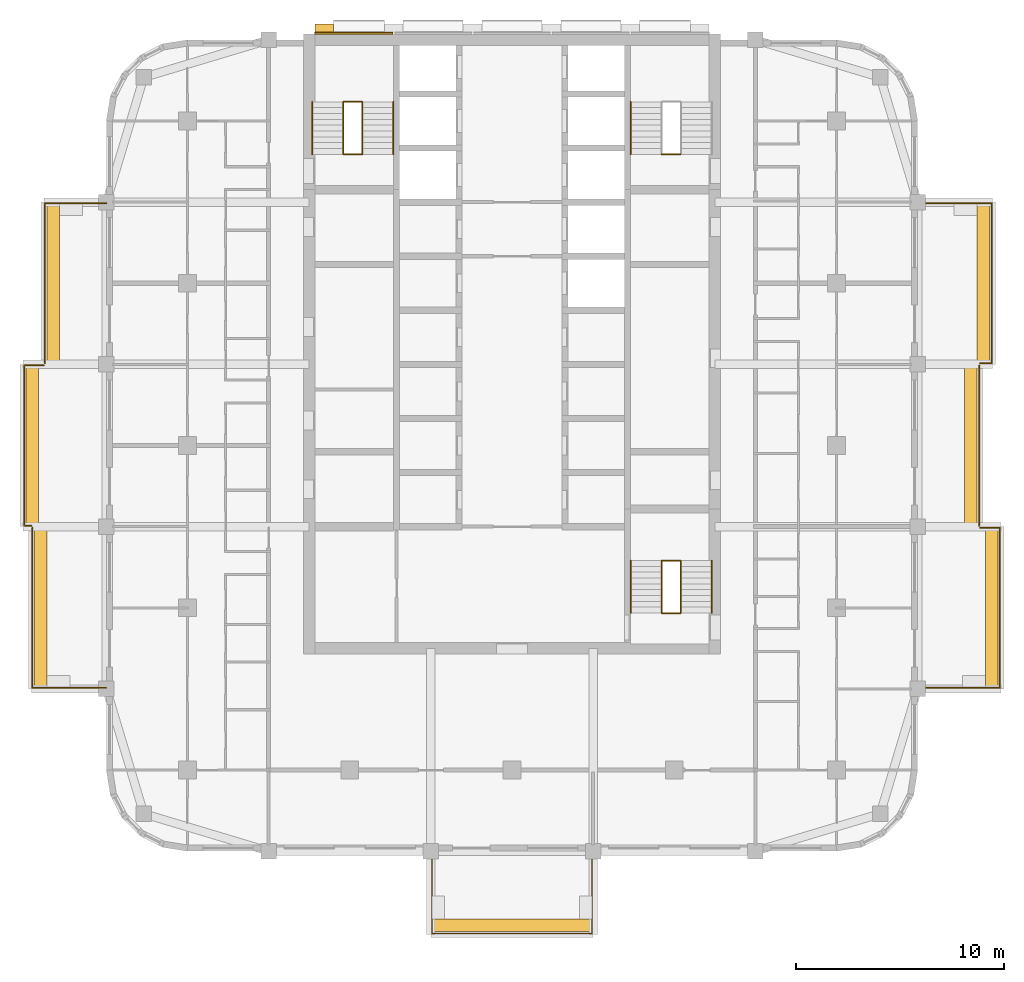
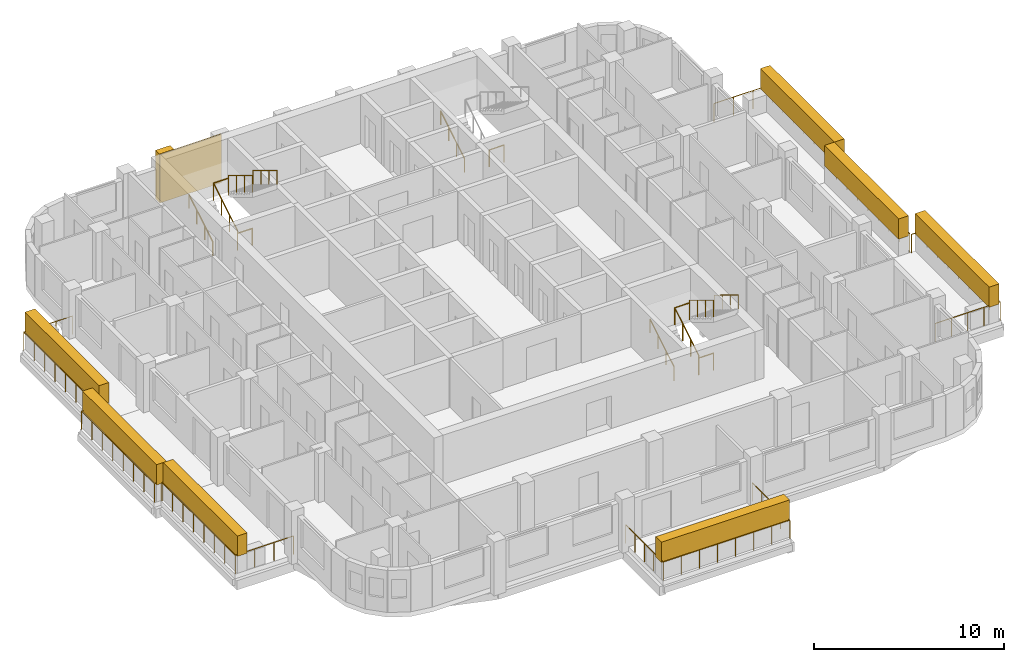
# One storey, part 12 of 13: 21 railings, 9 coverings, 3 elements without a shape of their own.
"""IFC4 building model written with IfcOpenShell, lengths in metres."""

from ifc_helpers import new_model, si_unit, direction, frame, origin, origin_2d, place, context, subcontext, project, spatial, rectangle, circle, extrude, material, layer, layer_set, type_object, element, aggregate, save


model = new_model("IFC4")

# Units and contexts
model_context = context("Model", 3, precision=1e-05, world=origin(), true_north=direction((0.0, 1.0)))
body_context = subcontext(model_context, "Body", "Model", "MODEL_VIEW")
ifc_project = project(units=[si_unit("LENGTHUNIT", "METRE"), si_unit("AREAUNIT", "SQUARE_METRE"), si_unit("VOLUMEUNIT", "CUBIC_METRE"), si_unit("PLANEANGLEUNIT", "RADIAN"), si_unit("MASSUNIT", "GRAM", prefix="KILO")], contexts=[model_context])

# Site, building, storey
site_placement = place(None, origin())
site = spatial("IfcSite", under=ifc_project, at=site_placement, CompositionType="ELEMENT")
building_placement = place(site_placement, origin())
building = spatial("IfcBuilding", under=site, at=building_placement, Name="Ludao Terraces", CompositionType="ELEMENT")
storey_placement = place(building_placement, frame((0.0, 0.0, 179.199951171875)))
storey = spatial("IfcBuildingStorey", under=building, at=storey_placement, Name="L48", CompositionType="ELEMENT", Elevation=179.199951171875)

# Railings
ifc_material_1 = material(Name="Stainless steel 304", Category="steel")
railing_type_1 = type_object("IfcRailingType", Name="ENV Balcony glass guard 1200", PredefinedType="GUARDRAIL", material=ifc_material_1)
railing_1_placement = place(storey_placement, frame((81.14990234375, 45.5, 0.0)))
element("IfcRailing", 1, at=railing_1_placement, inside=storey, type_object=railing_type_1, Name="Balcony guard L48 S1", PredefinedType="GUARDRAIL", context=body_context, shape_type="SweptSolid", body=[
    extrude(circle(Radius=0.02392578125, at=origin_2d()), frame((0.0, 0.0, 1.17578125), z_axis=(0.0, -1.0, 0.0), x_axis=(1.0, 0.0, 0.0)), (0.0, 0.0, 1.0), 3.949951171875),
    extrude(circle(Radius=0.02392578125, at=origin_2d()), frame((0.0, -3.949951171875, 1.17578125), z_axis=(1.0, 0.0, 0.0), x_axis=(0.0, 1.0, 0.0)), (0.0, 0.0, 1.0), 7.7001953125),
    extrude(circle(Radius=0.02392578125, at=origin_2d()), frame((7.7001953125, -3.949951171875, 1.17578125), z_axis=(0.0, 1.0, 0.0), x_axis=(-1.0, 0.0, 0.0)), (0.0, 0.0, 1.0), 3.949951171875),
    extrude(circle(Radius=0.02099609375, at=origin_2d()), origin(), (0.0, 0.0, 1.0), 1.15185546875),
    extrude(circle(Radius=0.02099609375, at=origin_2d()), frame((0.0, -0.987548828125, 0.0)), (0.0, 0.0, 1.0), 1.15185546875),
    extrude(circle(Radius=0.02099609375, at=origin_2d()), frame((0.0, -1.97509765625, 0.0)), (0.0, 0.0, 1.0), 1.15185546875),
    extrude(circle(Radius=0.02099609375, at=origin_2d()), frame((0.0, -2.96240234375, 0.0)), (0.0, 0.0, 1.0), 1.15185546875),
    extrude(circle(Radius=0.02099609375, at=origin_2d()), frame((0.0, -3.949951171875, 0.0)), (0.0, 0.0, 1.0), 1.15185546875),
    extrude(circle(Radius=0.02099609375, at=origin_2d()), frame((1.10009765625, -3.949951171875, 0.0)), (0.0, 0.0, 1.0), 1.15185546875),
    extrude(circle(Radius=0.02099609375, at=origin_2d()), frame((2.199951171875, -3.949951171875, 0.0)), (0.0, 0.0, 1.0), 1.15185546875),
    extrude(circle(Radius=0.02099609375, at=origin_2d()), frame((3.300048828125, -3.949951171875, 0.0)), (0.0, 0.0, 1.0), 1.15185546875),
    extrude(circle(Radius=0.02099609375, at=origin_2d()), frame((4.400146484375, -3.949951171875, 0.0)), (0.0, 0.0, 1.0), 1.15185546875),
    extrude(circle(Radius=0.02099609375, at=origin_2d()), frame((5.500244140625, -3.949951171875, 0.0)), (0.0, 0.0, 1.0), 1.15185546875),
    extrude(circle(Radius=0.02099609375, at=origin_2d()), frame((6.60009765625, -3.949951171875, 0.0)), (0.0, 0.0, 1.0), 1.15185546875),
    extrude(circle(Radius=0.02099609375, at=origin_2d()), frame((7.7001953125, -3.949951171875, 0.0)), (0.0, 0.0, 1.0), 1.15185546875),
    extrude(circle(Radius=0.02099609375, at=origin_2d()), frame((7.7001953125, -2.96240234375, 0.0)), (0.0, 0.0, 1.0), 1.15185546875),
    extrude(circle(Radius=0.02099609375, at=origin_2d()), frame((7.7001953125, -1.97509765625, 0.0)), (0.0, 0.0, 1.0), 1.15185546875),
    extrude(circle(Radius=0.02099609375, at=origin_2d()), frame((7.7001953125, -0.987548828125, 0.0)), (0.0, 0.0, 1.0), 1.15185546875),
    extrude(circle(Radius=0.02099609375, at=origin_2d()), frame((7.7001953125, 0.0, 0.0)), (0.0, 0.0, 1.0), 1.15185546875),
])
railing_2_placement = place(storey_placement, frame((104.5, 53.35009765625, 0.0)))
element("IfcRailing", 2, at=railing_2_placement, inside=storey, type_object=railing_type_1, Name="Balcony guard L48 E1", PredefinedType="GUARDRAIL", context=body_context, shape_type="SweptSolid", body=[
    extrude(circle(Radius=0.02392578125, at=origin_2d()), frame((0.0, 0.0, 1.17578125), z_axis=(1.0, 0.0, 0.0), x_axis=(0.0, 1.0, 0.0)), (0.0, 0.0, 1.0), 3.949951171875),
    extrude(circle(Radius=0.02392578125, at=origin_2d()), frame((3.949951171875, 0.0, 1.17578125), z_axis=(0.0, 1.0, 0.0), x_axis=(-1.0, 0.0, 0.0)), (0.0, 0.0, 1.0), 7.699951171875),
    extrude(circle(Radius=0.02392578125, at=origin_2d()), frame((3.949951171875, 7.699951171875, 1.17578125), z_axis=(-1.0, 0.0, 0.0), x_axis=(0.0, -1.0, 0.0)), (0.0, 0.0, 1.0), 0.949951171875),
    extrude(circle(Radius=0.02099609375, at=origin_2d()), origin(), (0.0, 0.0, 1.0), 1.15185546875),
    extrude(circle(Radius=0.02099609375, at=origin_2d()), frame((0.987548828125, 0.0, 0.0)), (0.0, 0.0, 1.0), 1.15185546875),
    extrude(circle(Radius=0.02099609375, at=origin_2d()), frame((1.97509765625, 0.0, 0.0)), (0.0, 0.0, 1.0), 1.15185546875),
    extrude(circle(Radius=0.02099609375, at=origin_2d()), frame((2.96240234375, 0.0, 0.0)), (0.0, 0.0, 1.0), 1.15185546875),
    extrude(circle(Radius=0.02099609375, at=origin_2d()), frame((3.949951171875, 0.0, 0.0)), (0.0, 0.0, 1.0), 1.15185546875),
    extrude(circle(Radius=0.02099609375, at=origin_2d()), frame((3.949951171875, 1.10009765625, 0.0)), (0.0, 0.0, 1.0), 1.15185546875),
    extrude(circle(Radius=0.02099609375, at=origin_2d()), frame((3.949951171875, 2.199951171875, 0.0)), (0.0, 0.0, 1.0), 1.15185546875),
    extrude(circle(Radius=0.02099609375, at=origin_2d()), frame((3.949951171875, 3.300048828125, 0.0)), (0.0, 0.0, 1.0), 1.15185546875),
    extrude(circle(Radius=0.02099609375, at=origin_2d()), frame((3.949951171875, 4.39990234375, 0.0)), (0.0, 0.0, 1.0), 1.15185546875),
    extrude(circle(Radius=0.02099609375, at=origin_2d()), frame((3.949951171875, 5.5, 0.0)), (0.0, 0.0, 1.0), 1.15185546875),
    extrude(circle(Radius=0.02099609375, at=origin_2d()), frame((3.949951171875, 6.599853515625, 0.0)), (0.0, 0.0, 1.0), 1.15185546875),
    extrude(circle(Radius=0.02099609375, at=origin_2d()), frame((3.949951171875, 7.699951171875, 0.0)), (0.0, 0.0, 1.0), 1.15185546875),
    extrude(circle(Radius=0.02099609375, at=origin_2d()), frame((3.0, 7.699951171875, 0.0)), (0.0, 0.0, 1.0), 1.15185546875),
])
railing_3_placement = place(storey_placement, frame((107.449951171875, 61.14990234375, 0.0)))
element("IfcRailing", 3, at=railing_3_placement, inside=storey, type_object=railing_type_1, Name="Balcony guard L48 E2", PredefinedType="GUARDRAIL", context=body_context, shape_type="SweptSolid", body=[
    extrude(circle(Radius=0.02392578125, at=origin_2d()), frame((0.0, 0.0, 1.17578125), z_axis=(0.0, 1.0, 0.0), x_axis=(-1.0, 0.0, 0.0)), (0.0, 0.0, 1.0), 7.7001953125),
    extrude(circle(Radius=0.02099609375, at=origin_2d()), origin(), (0.0, 0.0, 1.0), 1.15185546875),
    extrude(circle(Radius=0.02099609375, at=origin_2d()), frame((0.0, 1.10009765625, 0.0)), (0.0, 0.0, 1.0), 1.15185546875),
    extrude(circle(Radius=0.02099609375, at=origin_2d()), frame((0.0, 2.199951171875, 0.0)), (0.0, 0.0, 1.0), 1.15185546875),
    extrude(circle(Radius=0.02099609375, at=origin_2d()), frame((0.0, 3.300048828125, 0.0)), (0.0, 0.0, 1.0), 1.15185546875),
    extrude(circle(Radius=0.02099609375, at=origin_2d()), frame((0.0, 4.400146484375, 0.0)), (0.0, 0.0, 1.0), 1.15185546875),
    extrude(circle(Radius=0.02099609375, at=origin_2d()), frame((0.0, 5.500244140625, 0.0)), (0.0, 0.0, 1.0), 1.15185546875),
    extrude(circle(Radius=0.02099609375, at=origin_2d()), frame((0.0, 6.60009765625, 0.0)), (0.0, 0.0, 1.0), 1.15185546875),
    extrude(circle(Radius=0.02099609375, at=origin_2d()), frame((0.0, 7.7001953125, 0.0)), (0.0, 0.0, 1.0), 1.15185546875),
])
railing_4_placement = place(storey_placement, frame((107.5, 68.949951171875, 0.0)))
element("IfcRailing", 4, at=railing_4_placement, inside=storey, type_object=railing_type_1, Name="Balcony guard L48 E3", PredefinedType="GUARDRAIL", context=body_context, shape_type="SweptSolid", body=[
    extrude(circle(Radius=0.02392578125, at=origin_2d()), frame((0.0, 0.0, 1.17578125), z_axis=(1.0, 0.0, 0.0), x_axis=(0.0, 1.0, 0.0)), (0.0, 0.0, 1.0), 0.550048828125),
    extrude(circle(Radius=0.02392578125, at=origin_2d()), frame((0.550048828125, 0.0, 1.17578125), z_axis=(0.0, 1.0, 0.0), x_axis=(-1.0, 0.0, 0.0)), (0.0, 0.0, 1.0), 7.699951171875),
    extrude(circle(Radius=0.02392578125, at=origin_2d()), frame((0.550048828125, 7.699951171875, 1.17578125), z_axis=(-1.0, 0.0, 0.0), x_axis=(0.0, -1.0, 0.0)), (0.0, 0.0, 1.0), 3.550048828125),
    extrude(circle(Radius=0.02099609375, at=origin_2d()), origin(), (0.0, 0.0, 1.0), 1.15185546875),
    extrude(circle(Radius=0.02099609375, at=origin_2d()), frame((0.550048828125, 0.0, 0.0)), (0.0, 0.0, 1.0), 1.15185546875),
    extrude(circle(Radius=0.02099609375, at=origin_2d()), frame((0.550048828125, 1.10009765625, 0.0)), (0.0, 0.0, 1.0), 1.15185546875),
    extrude(circle(Radius=0.02099609375, at=origin_2d()), frame((0.550048828125, 2.199951171875, 0.0)), (0.0, 0.0, 1.0), 1.15185546875),
    extrude(circle(Radius=0.02099609375, at=origin_2d()), frame((0.550048828125, 3.300048828125, 0.0)), (0.0, 0.0, 1.0), 1.15185546875),
    extrude(circle(Radius=0.02099609375, at=origin_2d()), frame((0.550048828125, 4.39990234375, 0.0)), (0.0, 0.0, 1.0), 1.15185546875),
    extrude(circle(Radius=0.02099609375, at=origin_2d()), frame((0.550048828125, 5.5, 0.0)), (0.0, 0.0, 1.0), 1.15185546875),
    extrude(circle(Radius=0.02099609375, at=origin_2d()), frame((0.550048828125, 6.599853515625, 0.0)), (0.0, 0.0, 1.0), 1.15185546875),
    extrude(circle(Radius=0.02099609375, at=origin_2d()), frame((0.550048828125, 7.699951171875, 0.0)), (0.0, 0.0, 1.0), 1.15185546875),
    extrude(circle(Radius=0.02099609375, at=origin_2d()), frame((-0.63330078125, 7.699951171875, 0.0)), (0.0, 0.0, 1.0), 1.15185546875),
    extrude(circle(Radius=0.02099609375, at=origin_2d()), frame((-1.816650390625, 7.699951171875, 0.0)), (0.0, 0.0, 1.0), 1.15185546875),
    extrude(circle(Radius=0.02099609375, at=origin_2d()), frame((-3.0, 7.699951171875, 0.0)), (0.0, 0.0, 1.0), 1.15185546875),
])
railing_5_placement = place(storey_placement, frame((65.5, 53.35009765625, 0.0)))
element("IfcRailing", 5, at=railing_5_placement, inside=storey, type_object=railing_type_1, Name="Balcony guard L48 W1", PredefinedType="GUARDRAIL", context=body_context, shape_type="SweptSolid", body=[
    extrude(circle(Radius=0.02392578125, at=origin_2d()), frame((0.0, 0.0, 1.17578125), z_axis=(-1.0, 0.0, 0.0), x_axis=(0.0, -1.0, 0.0)), (0.0, 0.0, 1.0), 3.550048828125),
    extrude(circle(Radius=0.02392578125, at=origin_2d()), frame((-3.550048828125, 0.0, 1.17578125), z_axis=(0.0, 1.0, 0.0), x_axis=(-1.0, 0.0, 0.0)), (0.0, 0.0, 1.0), 7.699951171875),
    extrude(circle(Radius=0.02099609375, at=origin_2d()), origin(), (0.0, 0.0, 1.0), 1.15185546875),
    extrude(circle(Radius=0.02099609375, at=origin_2d()), frame((-1.183349609375, 0.0, 0.0)), (0.0, 0.0, 1.0), 1.15185546875),
    extrude(circle(Radius=0.02099609375, at=origin_2d()), frame((-2.36669921875, 0.0, 0.0)), (0.0, 0.0, 1.0), 1.15185546875),
    extrude(circle(Radius=0.02099609375, at=origin_2d()), frame((-3.550048828125, 0.0, 0.0)), (0.0, 0.0, 1.0), 1.15185546875),
    extrude(circle(Radius=0.02099609375, at=origin_2d()), frame((-3.550048828125, 1.10009765625, 0.0)), (0.0, 0.0, 1.0), 1.15185546875),
    extrude(circle(Radius=0.02099609375, at=origin_2d()), frame((-3.550048828125, 2.199951171875, 0.0)), (0.0, 0.0, 1.0), 1.15185546875),
    extrude(circle(Radius=0.02099609375, at=origin_2d()), frame((-3.550048828125, 3.300048828125, 0.0)), (0.0, 0.0, 1.0), 1.15185546875),
    extrude(circle(Radius=0.02099609375, at=origin_2d()), frame((-3.550048828125, 4.39990234375, 0.0)), (0.0, 0.0, 1.0), 1.15185546875),
    extrude(circle(Radius=0.02099609375, at=origin_2d()), frame((-3.550048828125, 5.5, 0.0)), (0.0, 0.0, 1.0), 1.15185546875),
    extrude(circle(Radius=0.02099609375, at=origin_2d()), frame((-3.550048828125, 6.599853515625, 0.0)), (0.0, 0.0, 1.0), 1.15185546875),
    extrude(circle(Radius=0.02099609375, at=origin_2d()), frame((-3.550048828125, 7.699951171875, 0.0)), (0.0, 0.0, 1.0), 1.15185546875),
])
railing_6_placement = place(storey_placement, frame((61.89990234375, 61.14990234375, 0.0)))
element("IfcRailing", 6, at=railing_6_placement, inside=storey, type_object=railing_type_1, Name="Balcony guard L48 W2", PredefinedType="GUARDRAIL", context=body_context, shape_type="SweptSolid", body=[
    extrude(circle(Radius=0.02392578125, at=origin_2d()), frame((0.0, 0.0, 1.17578125), z_axis=(-1.0, 0.0, 0.0), x_axis=(0.0, -1.0, 0.0)), (0.0, 0.0, 1.0), 0.349853515625),
    extrude(circle(Radius=0.02392578125, at=origin_2d()), frame((-0.349853515625, 0.0, 1.17578125), z_axis=(0.0, 1.0, 0.0), x_axis=(-1.0, 0.0, 0.0)), (0.0, 0.0, 1.0), 7.7001953125),
    extrude(circle(Radius=0.02392578125, at=origin_2d()), frame((-0.349853515625, 7.7001953125, 1.17578125), z_axis=(1.0, 0.0, 0.0), x_axis=(0.0, 1.0, 0.0)), (0.0, 0.0, 1.0), 0.949951171875),
    extrude(circle(Radius=0.02099609375, at=origin_2d()), origin(), (0.0, 0.0, 1.0), 1.15185546875),
    extrude(circle(Radius=0.02099609375, at=origin_2d()), frame((-0.349853515625, 0.0, 0.0)), (0.0, 0.0, 1.0), 1.15185546875),
    extrude(circle(Radius=0.02099609375, at=origin_2d()), frame((-0.349853515625, 1.10009765625, 0.0)), (0.0, 0.0, 1.0), 1.15185546875),
    extrude(circle(Radius=0.02099609375, at=origin_2d()), frame((-0.349853515625, 2.199951171875, 0.0)), (0.0, 0.0, 1.0), 1.15185546875),
    extrude(circle(Radius=0.02099609375, at=origin_2d()), frame((-0.349853515625, 3.300048828125, 0.0)), (0.0, 0.0, 1.0), 1.15185546875),
    extrude(circle(Radius=0.02099609375, at=origin_2d()), frame((-0.349853515625, 4.400146484375, 0.0)), (0.0, 0.0, 1.0), 1.15185546875),
    extrude(circle(Radius=0.02099609375, at=origin_2d()), frame((-0.349853515625, 5.500244140625, 0.0)), (0.0, 0.0, 1.0), 1.15185546875),
    extrude(circle(Radius=0.02099609375, at=origin_2d()), frame((-0.349853515625, 6.60009765625, 0.0)), (0.0, 0.0, 1.0), 1.15185546875),
    extrude(circle(Radius=0.02099609375, at=origin_2d()), frame((-0.349853515625, 7.7001953125, 0.0)), (0.0, 0.0, 1.0), 1.15185546875),
    extrude(circle(Radius=0.02099609375, at=origin_2d()), frame((0.60009765625, 7.7001953125, 0.0)), (0.0, 0.0, 1.0), 1.15185546875),
])
railing_7_placement = place(storey_placement, frame((62.550048828125, 68.949951171875, 0.0)))
element("IfcRailing", 7, at=railing_7_placement, inside=storey, type_object=railing_type_1, Name="Balcony guard L48 W3", PredefinedType="GUARDRAIL", context=body_context, shape_type="SweptSolid", body=[
    extrude(circle(Radius=0.02392578125, at=origin_2d()), frame((0.0, 0.0, 1.17578125), z_axis=(0.0, 1.0, 0.0), x_axis=(-1.0, 0.0, 0.0)), (0.0, 0.0, 1.0), 7.699951171875),
    extrude(circle(Radius=0.02392578125, at=origin_2d()), frame((0.0, 7.699951171875, 1.17578125), z_axis=(1.0, 0.0, 0.0), x_axis=(0.0, 1.0, 0.0)), (0.0, 0.0, 1.0), 2.949951171875),
    extrude(circle(Radius=0.02099609375, at=origin_2d()), origin(), (0.0, 0.0, 1.0), 1.15185546875),
    extrude(circle(Radius=0.02099609375, at=origin_2d()), frame((0.0, 1.10009765625, 0.0)), (0.0, 0.0, 1.0), 1.15185546875),
    extrude(circle(Radius=0.02099609375, at=origin_2d()), frame((0.0, 2.199951171875, 0.0)), (0.0, 0.0, 1.0), 1.15185546875),
    extrude(circle(Radius=0.02099609375, at=origin_2d()), frame((0.0, 3.300048828125, 0.0)), (0.0, 0.0, 1.0), 1.15185546875),
    extrude(circle(Radius=0.02099609375, at=origin_2d()), frame((0.0, 4.39990234375, 0.0)), (0.0, 0.0, 1.0), 1.15185546875),
    extrude(circle(Radius=0.02099609375, at=origin_2d()), frame((0.0, 5.5, 0.0)), (0.0, 0.0, 1.0), 1.15185546875),
    extrude(circle(Radius=0.02099609375, at=origin_2d()), frame((0.0, 6.599853515625, 0.0)), (0.0, 0.0, 1.0), 1.15185546875),
    extrude(circle(Radius=0.02099609375, at=origin_2d()), frame((0.0, 7.699951171875, 0.0)), (0.0, 0.0, 1.0), 1.15185546875),
    extrude(circle(Radius=0.02099609375, at=origin_2d()), frame((0.9833984375, 7.699951171875, 0.0)), (0.0, 0.0, 1.0), 1.15185546875),
    extrude(circle(Radius=0.02099609375, at=origin_2d()), frame((1.966552734375, 7.699951171875, 0.0)), (0.0, 0.0, 1.0), 1.15185546875),
    extrude(circle(Radius=0.02099609375, at=origin_2d()), frame((2.949951171875, 7.699951171875, 0.0)), (0.0, 0.0, 1.0), 1.15185546875),
])

# Coverings
ifc_material_2 = material(Name="Granite cladding", Category="masonry")
ifc_layer_1 = layer(ifc_material_2, 0.39990234375)
ifc_layer_set_1 = layer_set([ifc_layer_1], Name="ENV Core pilaster stone 400")
covering_type_1 = type_object("IfcCoveringType", Name="ENV Core pilaster stone 400", PredefinedType="CLADDING", material=ifc_layer_set_1)
covering_1_placement = place(storey_placement, frame((75.97509765625, 85.054931640625, 0.0), z_axis=(0.0, 0.0, 1.0), x_axis=(1.0, 0.0, 0.0)))
element("IfcCovering", 8, at=covering_1_placement, inside=storey, type_object=covering_type_1, Name="CC-L48-PIL1", PredefinedType="CLADDING", context=body_context, shape_type="SweptSolid", body=[
    extrude(rectangle(XDim=0.89990234375, YDim=0.39990234375, at=origin_2d()), origin(), (0.0, 0.0, 1.0), 3.10009765625),
])
ifc_layer_2 = layer(ifc_material_2, 0.080078125)
ifc_layer_set_2 = layer_set([ifc_layer_2], Name="ENV Core stone cladding panel 80")
covering_type_2 = type_object("IfcCoveringType", Name="ENV Core stone cladding panel 80", PredefinedType="CLADDING", material=ifc_layer_set_2)
covering_2_placement = place(storey_placement, frame((77.39501953125, 84.81494140625, 0.0), z_axis=(0.0, 0.0, 1.0), x_axis=(1.0, 0.0, 0.0)))
element("IfcCovering", 9, at=covering_2_placement, inside=storey, type_object=covering_type_2, Name="CC-L48-CORE1", PredefinedType="CLADDING", context=body_context, shape_type="SweptSolid", body=[
    extrude(rectangle(XDim=3.739990234375, YDim=0.080078125, at=origin_2d()), origin(), (0.0, 0.0, 1.0), 3.10009765625),
])
ifc_material_3 = material(Name="Planting")
ifc_layer_3 = layer(ifc_material_3, 0.60009765625)
ifc_layer_set_3 = layer_set([ifc_layer_3], Name="ENV Planting hedge 600x1300")
covering_type_3 = type_object("IfcCoveringType", Name="ENV Planting hedge 600x1300", PredefinedType="USERDEFINED", material=ifc_layer_set_3)
covering_3_placement = place(storey_placement, frame((85.0, 41.949951171875, 1.10009765625), z_axis=(0.0, 0.0, 1.0), x_axis=(1.0, 0.0, 0.0)))
element("IfcCovering", 10, at=covering_3_placement, inside=storey, type_object=covering_type_3, Name="Planting hedge L48-S1", ObjectType="PLANTING", PredefinedType="USERDEFINED", context=body_context, shape_type="SweptSolid", body=[
    extrude(rectangle(XDim=7.800048828125, YDim=0.60009765625, at=origin_2d()), origin(), (0.0, 0.0, 1.0), 1.300048828125),
])
for number, where, z_axis, x_axis, name in (
    (11, (108.050048828125, 57.199951171875, 1.10009765625), (0.0, 0.0, 1.0), (1.0, 0.0, 0.0), "Planting hedge L48-E1"),
    (12, (107.050048828125, 65.0, 1.10009765625), (0.0, 0.0, 1.0), (1.0, 0.0, 0.0), "Planting hedge L48-E2"),
    (13, (107.64990234375, 72.800048828125, 1.10009765625), (0.0, 0.0, 1.0), (1.0, 0.0, 0.0), "Planting hedge L48-E3"),
    (14, (62.35009765625, 57.199951171875, 1.10009765625), (0.0, 0.0, 1.0), (1.0, 0.0, 0.0), "Planting hedge L48-W1"),
    (15, (61.949951171875, 65.0, 1.10009765625), (0.0, 0.0, 1.0), (1.0, 0.0, 0.0), "Planting hedge L48-W2"),
    (16, (62.949951171875, 72.800048828125, 1.10009765625), (0.0, 0.0, 1.0), (1.0, 0.0, 0.0), "Planting hedge L48-W3"),
):
    element("IfcCovering", number, at=place(storey_placement, frame(where, z_axis=z_axis, x_axis=x_axis)), inside=storey, type_object=covering_type_3, Name=name, ObjectType="PLANTING", PredefinedType="USERDEFINED", context=body_context, shape_type="SweptSolid", body=[
        extrude(rectangle(XDim=0.60009765625, YDim=7.800048828125, at=origin_2d()), origin(), (0.0, 0.0, 1.0), 1.300048828125),
    ])

# Stair, railings
ifc_material_4 = material(Name="Concrete C40", Category="concrete")
stair_type = type_object("IfcStairType", Name="INT Stair", PredefinedType="HALF_TURN_STAIR", material=ifc_material_4)
stair_1_placement = place(storey_placement, origin())
stair_1 = element("IfcStair", 17, at=stair_1_placement, inside=storey, type_object=stair_type, Name="EXIT STAIR 1", PredefinedType="HALF_TURN_STAIR")
railing_type_2 = type_object("IfcRailingType", Name="INT Stair guard 1100", PredefinedType="GUARDRAIL", material=ifc_material_1)
railing_8_placement = place(storey_placement, frame((76.89990234375, 79.0, 0.170166015625)))
railing_8 = element("IfcRailing", 18, at=railing_8_placement, type_object=railing_type_2, Name="ST-L48-S1-R1G", PredefinedType="GUARDRAIL", context=body_context, shape_type="SweptSolid", body=[
    extrude(circle(Radius=0.02392578125, at=origin_2d()), frame((0.0, 0.0, 1.076171875), z_axis=(0.0, 0.854821627497, 0.518921945155), x_axis=(-1.0, 0.0, 0.0)), (0.0, 0.0, 1.0), 2.947998046875),
    extrude(circle(Radius=0.02099609375, at=origin_2d()), origin(), (0.0, 0.0, 1.0), 1.052001953125),
    extrude(circle(Radius=0.02099609375, at=origin_2d()), frame((0.0, 0.840087890625, 0.510009765625)), (0.0, 0.0, 1.0), 1.052001953125),
    extrude(circle(Radius=0.02099609375, at=origin_2d()), frame((0.0, 1.679931640625, 1.019775390625)), (0.0, 0.0, 1.0), 1.052001953125),
    extrude(circle(Radius=0.02099609375, at=origin_2d()), frame((0.0, 2.52001953125, 1.52978515625)), (0.0, 0.0, 1.0), 1.052001953125),
])
railing_9_placement = place(storey_placement, frame((77.800048828125, 81.52001953125, 1.8701171875)))
railing_9 = element("IfcRailing", 19, at=railing_9_placement, type_object=railing_type_2, Name="ST-L48-S1-R2G", PredefinedType="GUARDRAIL", context=body_context, shape_type="SweptSolid", body=[
    extrude(circle(Radius=0.02392578125, at=origin_2d()), frame((0.0, 0.0, 1.076171875), z_axis=(0.0, -0.85478489116, 0.518982456201), x_axis=(1.0, 0.0, 0.0)), (0.0, 0.0, 1.0), 2.9482421875),
    extrude(circle(Radius=0.02099609375, at=origin_2d()), origin(), (0.0, 0.0, 1.0), 1.052001953125),
    extrude(circle(Radius=0.02099609375, at=origin_2d()), frame((0.0, -0.840087890625, 0.510009765625)), (0.0, 0.0, 1.0), 1.052001953125),
    extrude(circle(Radius=0.02099609375, at=origin_2d()), frame((0.0, -1.679931640625, 1.02001953125)), (0.0, 0.0, 1.0), 1.052001953125),
    extrude(circle(Radius=0.02099609375, at=origin_2d()), frame((0.0, -2.52001953125, 1.530029296875)), (0.0, 0.0, 1.0), 1.052001953125),
])
railing_10_placement = place(storey_placement, frame((76.89990234375, 81.52001953125, 1.699951171875)))
railing_10 = element("IfcRailing", 20, at=railing_10_placement, type_object=railing_type_2, Name="ST-L48-S1-E1G", PredefinedType="GUARDRAIL", context=body_context, shape_type="SweptSolid", body=[
    extrude(circle(Radius=0.02392578125, at=origin_2d()), frame((0.0, 0.0, 1.076171875), z_axis=(1.0, 0.0, 0.0), x_axis=(0.0, 1.0, 0.0)), (0.0, 0.0, 1.0), 0.900146484375),
    extrude(circle(Radius=0.02099609375, at=origin_2d()), origin(), (0.0, 0.0, 1.0), 1.052001953125),
    extrude(circle(Radius=0.02099609375, at=origin_2d()), frame((0.900146484375, 0.0, 0.0)), (0.0, 0.0, 1.0), 1.052001953125),
])
railing_11_placement = place(storey_placement, frame((76.89990234375, 79.0, 0.0)))
railing_11 = element("IfcRailing", 21, at=railing_11_placement, type_object=railing_type_2, Name="ST-L48-S1-E2G", PredefinedType="GUARDRAIL", context=body_context, shape_type="SweptSolid", body=[
    extrude(circle(Radius=0.02392578125, at=origin_2d()), frame((0.0, 0.0, 1.076171875), z_axis=(1.0, 0.0, 0.0), x_axis=(0.0, 1.0, 0.0)), (0.0, 0.0, 1.0), 0.900146484375),
    extrude(circle(Radius=0.02099609375, at=origin_2d()), origin(), (0.0, 0.0, 1.0), 1.052001953125),
    extrude(circle(Radius=0.02099609375, at=origin_2d()), frame((0.900146484375, 0.0, 0.0)), (0.0, 0.0, 1.0), 1.052001953125),
])

# Stair, railing
stair_2_placement = place(storey_placement, origin())
stair_2 = element("IfcStair", 22, at=stair_2_placement, inside=storey, type_object=stair_type, Name="EXIT STAIR 2", PredefinedType="HALF_TURN_STAIR")
railing_12_placement = place(storey_placement, frame((92.199951171875, 79.0, 0.0)))
railing_12 = element("IfcRailing", 23, at=railing_12_placement, type_object=railing_type_2, Name="ST-L48-S2-E2G", PredefinedType="GUARDRAIL", context=body_context, shape_type="SweptSolid", body=[
    extrude(circle(Radius=0.02392578125, at=origin_2d()), frame((0.0, 0.0, 1.076171875), z_axis=(1.0, 0.0, 0.0), x_axis=(0.0, 1.0, 0.0)), (0.0, 0.0, 1.0), 0.900146484375),
    extrude(circle(Radius=0.02099609375, at=origin_2d()), origin(), (0.0, 0.0, 1.0), 1.052001953125),
    extrude(circle(Radius=0.02099609375, at=origin_2d()), frame((0.900146484375, 0.0, 0.0)), (0.0, 0.0, 1.0), 1.052001953125),
])

# Stair, railings
stair_3_placement = place(storey_placement, origin())
stair_3 = element("IfcStair", 24, at=stair_3_placement, inside=storey, type_object=stair_type, Name="EXIT STAIR 3", PredefinedType="HALF_TURN_STAIR")
railing_13_placement = place(storey_placement, frame((92.199951171875, 56.949951171875, 0.170166015625)))
railing_13 = element("IfcRailing", 25, at=railing_13_placement, type_object=railing_type_2, Name="ST-L48-S3-R1G", PredefinedType="GUARDRAIL", context=body_context, shape_type="SweptSolid", body=[
    extrude(circle(Radius=0.02392578125, at=origin_2d()), frame((0.0, 0.0, 1.076171875), z_axis=(0.0, 0.854821627497, 0.518921945155), x_axis=(-1.0, 0.0, 0.0)), (0.0, 0.0, 1.0), 2.947998046875),
    extrude(circle(Radius=0.02099609375, at=origin_2d()), origin(), (0.0, 0.0, 1.0), 1.052001953125),
    extrude(circle(Radius=0.02099609375, at=origin_2d()), frame((0.0, 0.840087890625, 0.510009765625)), (0.0, 0.0, 1.0), 1.052001953125),
    extrude(circle(Radius=0.02099609375, at=origin_2d()), frame((0.0, 1.679931640625, 1.019775390625)), (0.0, 0.0, 1.0), 1.052001953125),
    extrude(circle(Radius=0.02099609375, at=origin_2d()), frame((0.0, 2.52001953125, 1.52978515625)), (0.0, 0.0, 1.0), 1.052001953125),
])
railing_14_placement = place(storey_placement, frame((93.10009765625, 59.469970703125, 1.8701171875)))
railing_14 = element("IfcRailing", 26, at=railing_14_placement, type_object=railing_type_2, Name="ST-L48-S3-R2G", PredefinedType="GUARDRAIL", context=body_context, shape_type="SweptSolid", body=[
    extrude(circle(Radius=0.02392578125, at=origin_2d()), frame((0.0, 0.0, 1.076171875), z_axis=(0.0, -0.85478489116, 0.518982456201), x_axis=(1.0, 0.0, 0.0)), (0.0, 0.0, 1.0), 2.9482421875),
    extrude(circle(Radius=0.02099609375, at=origin_2d()), origin(), (0.0, 0.0, 1.0), 1.052001953125),
    extrude(circle(Radius=0.02099609375, at=origin_2d()), frame((0.0, -0.840087890625, 0.510009765625)), (0.0, 0.0, 1.0), 1.052001953125),
    extrude(circle(Radius=0.02099609375, at=origin_2d()), frame((0.0, -1.679931640625, 1.02001953125)), (0.0, 0.0, 1.0), 1.052001953125),
    extrude(circle(Radius=0.02099609375, at=origin_2d()), frame((0.0, -2.52001953125, 1.530029296875)), (0.0, 0.0, 1.0), 1.052001953125),
])
railing_15_placement = place(storey_placement, frame((92.199951171875, 59.469970703125, 1.699951171875)))
railing_15 = element("IfcRailing", 27, at=railing_15_placement, type_object=railing_type_2, Name="ST-L48-S3-E1G", PredefinedType="GUARDRAIL", context=body_context, shape_type="SweptSolid", body=[
    extrude(circle(Radius=0.02392578125, at=origin_2d()), frame((0.0, 0.0, 1.076171875), z_axis=(1.0, 0.0, 0.0), x_axis=(0.0, 1.0, 0.0)), (0.0, 0.0, 1.0), 0.900146484375),
    extrude(circle(Radius=0.02099609375, at=origin_2d()), origin(), (0.0, 0.0, 1.0), 1.052001953125),
    extrude(circle(Radius=0.02099609375, at=origin_2d()), frame((0.900146484375, 0.0, 0.0)), (0.0, 0.0, 1.0), 1.052001953125),
])
railing_16_placement = place(storey_placement, frame((92.199951171875, 56.949951171875, 0.0)))
railing_16 = element("IfcRailing", 28, at=railing_16_placement, type_object=railing_type_2, Name="ST-L48-S3-E2G", PredefinedType="GUARDRAIL", context=body_context, shape_type="SweptSolid", body=[
    extrude(circle(Radius=0.02392578125, at=origin_2d()), frame((0.0, 0.0, 1.076171875), z_axis=(1.0, 0.0, 0.0), x_axis=(0.0, 1.0, 0.0)), (0.0, 0.0, 1.0), 0.900146484375),
    extrude(circle(Radius=0.02099609375, at=origin_2d()), origin(), (0.0, 0.0, 1.0), 1.052001953125),
    extrude(circle(Radius=0.02099609375, at=origin_2d()), frame((0.900146484375, 0.0, 0.0)), (0.0, 0.0, 1.0), 1.052001953125),
])

# Railing
railing_type_3 = type_object("IfcRailingType", Name="INT Stair handrail 900", PredefinedType="HANDRAIL", material=ifc_material_1)
railing_17_placement = place(storey_placement, frame((75.39990234375, 79.0, 0.170166015625)))
railing_17 = element("IfcRailing", 29, at=railing_17_placement, type_object=railing_type_3, Name="ST-L48-S1-R1H", PredefinedType="HANDRAIL", context=body_context, shape_type="SweptSolid", body=[
    extrude(circle(Radius=0.02392578125, at=origin_2d()), frame((0.0, 0.0, 0.8759765625), z_axis=(0.0, 0.854821627497, 0.518921945155), x_axis=(-1.0, 0.0, 0.0)), (0.0, 0.0, 1.0), 2.947998046875),
    extrude(circle(Radius=0.02099609375, at=origin_2d()), origin(), (0.0, 0.0, 1.0), 0.851806640625),
    extrude(circle(Radius=0.02099609375, at=origin_2d()), frame((0.0, 0.840087890625, 0.510009765625)), (0.0, 0.0, 1.0), 0.851806640625),
    extrude(circle(Radius=0.02099609375, at=origin_2d()), frame((0.0, 1.679931640625, 1.019775390625)), (0.0, 0.0, 1.0), 0.851806640625),
    extrude(circle(Radius=0.02099609375, at=origin_2d()), frame((0.0, 2.52001953125, 1.52978515625)), (0.0, 0.0, 1.0), 0.851806640625),
])

railing_18_placement = place(storey_placement, frame((79.300048828125, 81.52001953125, 1.8701171875)))
railing_18 = element("IfcRailing", 30, at=railing_18_placement, type_object=railing_type_3, Name="ST-L48-S1-R2H", PredefinedType="HANDRAIL", context=body_context, shape_type="SweptSolid", body=[
    extrude(circle(Radius=0.02392578125, at=origin_2d()), frame((0.0, 0.0, 0.8759765625), z_axis=(0.0, -0.85478489116, 0.518982456201), x_axis=(1.0, 0.0, 0.0)), (0.0, 0.0, 1.0), 2.9482421875),
    extrude(circle(Radius=0.02099609375, at=origin_2d()), origin(), (0.0, 0.0, 1.0), 0.851806640625),
    extrude(circle(Radius=0.02099609375, at=origin_2d()), frame((0.0, -0.840087890625, 0.510009765625)), (0.0, 0.0, 1.0), 0.851806640625),
    extrude(circle(Radius=0.02099609375, at=origin_2d()), frame((0.0, -1.679931640625, 1.02001953125)), (0.0, 0.0, 1.0), 0.851806640625),
    extrude(circle(Radius=0.02099609375, at=origin_2d()), frame((0.0, -2.52001953125, 1.530029296875)), (0.0, 0.0, 1.0), 0.851806640625),
])

aggregate(stair_1, [railing_8, railing_17, railing_9, railing_18, railing_10, railing_11])

railing_19_placement = place(storey_placement, frame((90.699951171875, 79.0, 0.170166015625)))
railing_19 = element("IfcRailing", 31, at=railing_19_placement, type_object=railing_type_3, Name="ST-L48-S2-R1H", PredefinedType="HANDRAIL", context=body_context, shape_type="SweptSolid", body=[
    extrude(circle(Radius=0.02392578125, at=origin_2d()), frame((0.0, 0.0, 0.8759765625), z_axis=(0.0, 0.854821627497, 0.518921945155), x_axis=(-1.0, 0.0, 0.0)), (0.0, 0.0, 1.0), 2.947998046875),
    extrude(circle(Radius=0.02099609375, at=origin_2d()), origin(), (0.0, 0.0, 1.0), 0.851806640625),
    extrude(circle(Radius=0.02099609375, at=origin_2d()), frame((0.0, 0.840087890625, 0.510009765625)), (0.0, 0.0, 1.0), 0.851806640625),
    extrude(circle(Radius=0.02099609375, at=origin_2d()), frame((0.0, 1.679931640625, 1.019775390625)), (0.0, 0.0, 1.0), 0.851806640625),
    extrude(circle(Radius=0.02099609375, at=origin_2d()), frame((0.0, 2.52001953125, 1.52978515625)), (0.0, 0.0, 1.0), 0.851806640625),
])

aggregate(stair_2, [railing_19, railing_12])

railing_20_placement = place(storey_placement, frame((90.699951171875, 56.949951171875, 0.170166015625)))
railing_20 = element("IfcRailing", 32, at=railing_20_placement, type_object=railing_type_3, Name="ST-L48-S3-R1H", PredefinedType="HANDRAIL", context=body_context, shape_type="SweptSolid", body=[
    extrude(circle(Radius=0.02392578125, at=origin_2d()), frame((0.0, 0.0, 0.8759765625), z_axis=(0.0, 0.854821627497, 0.518921945155), x_axis=(-1.0, 0.0, 0.0)), (0.0, 0.0, 1.0), 2.947998046875),
    extrude(circle(Radius=0.02099609375, at=origin_2d()), origin(), (0.0, 0.0, 1.0), 0.851806640625),
    extrude(circle(Radius=0.02099609375, at=origin_2d()), frame((0.0, 0.840087890625, 0.510009765625)), (0.0, 0.0, 1.0), 0.851806640625),
    extrude(circle(Radius=0.02099609375, at=origin_2d()), frame((0.0, 1.679931640625, 1.019775390625)), (0.0, 0.0, 1.0), 0.851806640625),
    extrude(circle(Radius=0.02099609375, at=origin_2d()), frame((0.0, 2.52001953125, 1.52978515625)), (0.0, 0.0, 1.0), 0.851806640625),
])

railing_21_placement = place(storey_placement, frame((94.60009765625, 59.469970703125, 1.8701171875)))
railing_21 = element("IfcRailing", 33, at=railing_21_placement, type_object=railing_type_3, Name="ST-L48-S3-R2H", PredefinedType="HANDRAIL", context=body_context, shape_type="SweptSolid", body=[
    extrude(circle(Radius=0.02392578125, at=origin_2d()), frame((0.0, 0.0, 0.8759765625), z_axis=(0.0, -0.85478489116, 0.518982456201), x_axis=(1.0, 0.0, 0.0)), (0.0, 0.0, 1.0), 2.9482421875),
    extrude(circle(Radius=0.02099609375, at=origin_2d()), origin(), (0.0, 0.0, 1.0), 0.851806640625),
    extrude(circle(Radius=0.02099609375, at=origin_2d()), frame((0.0, -0.840087890625, 0.510009765625)), (0.0, 0.0, 1.0), 0.851806640625),
    extrude(circle(Radius=0.02099609375, at=origin_2d()), frame((0.0, -1.679931640625, 1.02001953125)), (0.0, 0.0, 1.0), 0.851806640625),
    extrude(circle(Radius=0.02099609375, at=origin_2d()), frame((0.0, -2.52001953125, 1.530029296875)), (0.0, 0.0, 1.0), 0.851806640625),
])

aggregate(stair_3, [railing_13, railing_20, railing_14, railing_21, railing_15, railing_16])

save(model, "model.ifc")
